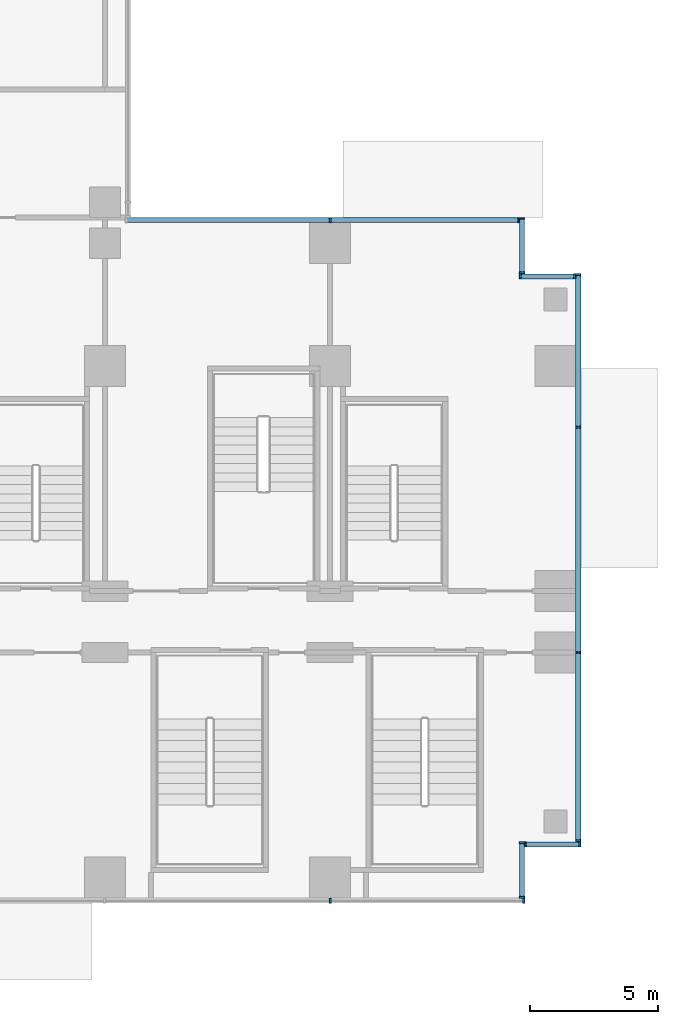
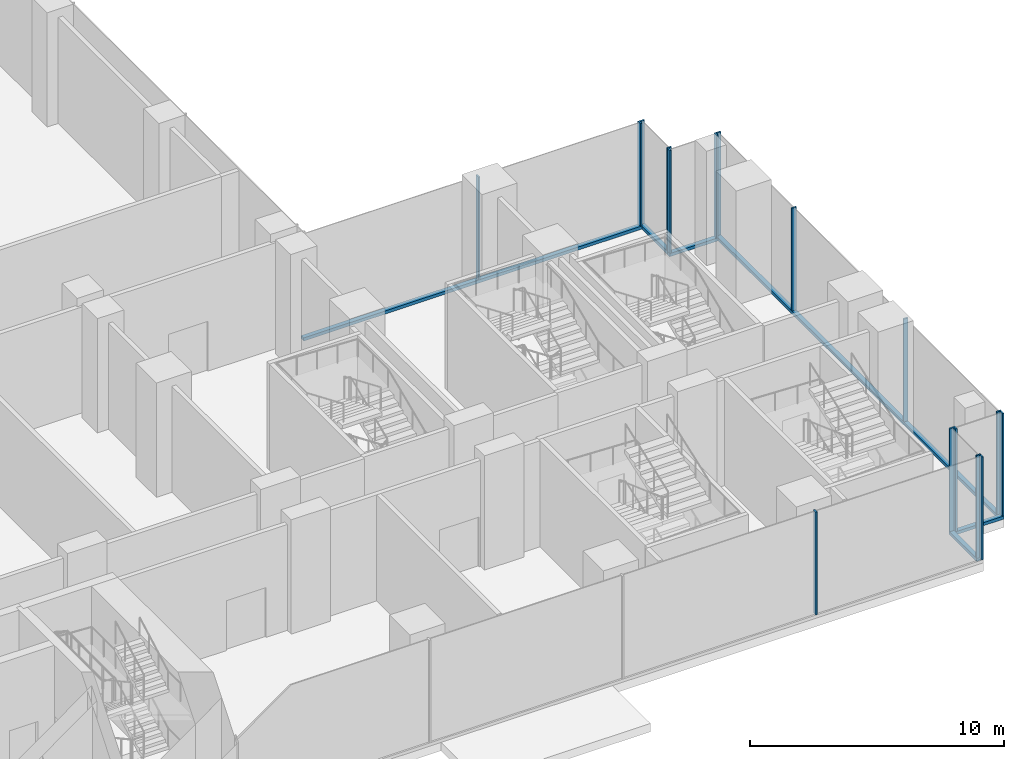
# One storey, part 10 of 30: 22 members, 7 elements without a shape of their own.
"""IFC4 building model written with IfcOpenShell, lengths in metres."""

from ifc_helpers import new_model, si_unit, direction, frame, origin, origin_2d, place, context, subcontext, project, spatial, rectangle, extrude, source, transform, mapped, material, material_profile, profile_set, type_object, element, aggregate, save


model = new_model("IFC4")

# Units and contexts
model_context = context("Model", 3, precision=1e-05, world=origin(), true_north=direction((0.0, 1.0)))
body_context = subcontext(model_context, "Body", "Model", "MODEL_VIEW")
ifc_project = project(units=[si_unit("LENGTHUNIT", "METRE"), si_unit("AREAUNIT", "SQUARE_METRE"), si_unit("VOLUMEUNIT", "CUBIC_METRE"), si_unit("PLANEANGLEUNIT", "RADIAN"), si_unit("MASSUNIT", "GRAM", prefix="KILO")], contexts=[model_context])

# Site, building, storey
site_placement = place(None, origin())
site = spatial("IfcSite", under=ifc_project, at=site_placement, CompositionType="ELEMENT")
building_placement = place(site_placement, origin())
building = spatial("IfcBuilding", under=site, at=building_placement, Name="Kemantara Hotel Tower", CompositionType="ELEMENT")
storey_placement = place(building_placement, frame((0.0, 0.0, 7.5)))
storey = spatial("IfcBuildingStorey", under=building, at=storey_placement, Name="L01", CompositionType="ELEMENT", Elevation=7.5)

# Curtain wall, member
ifc_material_1 = material(Name="Laminated tinted insulated glass 44 mm", Category="glass")
curtain_wall_type = type_object("IfcCurtainWallType", Name="PODIUM GLASS CURTAIN WALL", PredefinedType="USERDEFINED", material=ifc_material_1)
curtain_wall_1_placement = place(storey_placement, origin())
curtain_wall_1 = element("IfcCurtainWall", 1, at=curtain_wall_1_placement, inside=storey, type_object=curtain_wall_type, Name="CW1 L01 POD-R04-1", ObjectType="PODIUM GLASS CURTAIN WALL", PredefinedType="USERDEFINED")
ifc_material_2 = material(Name="Aluminium 6063-T6 bronze anodised", Category="aluminium")
ifc_material_profile_1 = material_profile(ifc_material_2, rectangle(XDim=0.199951171875, YDim=0.14990234375, at=origin_2d()), Name="PODIUM GLASS CURTAIN WALL TRANSOM")
ifc_profile_set_1 = profile_set([ifc_material_profile_1], Name="Aluminium 6063-T6 bronze anodised")
member_type_1 = type_object("IfcMemberType", Name="PODIUM GLASS CURTAIN WALL TRANSOM", PredefinedType="USERDEFINED", material=ifc_profile_set_1)
member_1_placement = place(storey_placement, frame((81.10009765625, 2.39990234375, 0.074951171875), z_axis=(0.0, 1.0, 0.0), x_axis=(-1.0, 0.0, 0.0)))
member_1 = element("IfcMember", 2, at=member_1_placement, type_object=member_type_1, Name="CW1 sill transom POD-R04-1", ObjectType="TRANSOM", PredefinedType="USERDEFINED", context=body_context, shape_type="SweptSolid", body=[
    extrude(rectangle(XDim=0.199951171875, YDim=0.14990234375, at=origin_2d()), origin(), (0.0, 0.0, 1.0), 22.2001953125),
])

curtain_wall_2_placement = place(storey_placement, origin())
curtain_wall_2 = element("IfcCurtainWall", 3, at=curtain_wall_2_placement, inside=storey, type_object=curtain_wall_type, Name="CW1 L01 POD-R07-1", ObjectType="PODIUM GLASS CURTAIN WALL", PredefinedType="USERDEFINED")
member_2_placement = place(storey_placement, frame((78.800048828125, 26.699951171875, 0.074951171875), z_axis=(-1.0, 0.0, 0.0), x_axis=(0.0, -1.0, 0.0)))
member_2 = element("IfcMember", 4, at=member_2_placement, type_object=member_type_1, Name="CW1 sill transom POD-R07-1", ObjectType="TRANSOM", PredefinedType="USERDEFINED", context=body_context, shape_type="SweptSolid", body=[
    extrude(rectangle(XDim=0.199951171875, YDim=0.14990234375, at=origin_2d()), origin(), (0.0, 0.0, 1.0), 15.400146484375),
])

curtain_wall_3_placement = place(storey_placement, origin())
curtain_wall_3 = element("IfcCurtainWall", 5, at=curtain_wall_3_placement, inside=storey, type_object=curtain_wall_type, Name="CW1 L01 POD-R02-1", ObjectType="PODIUM GLASS CURTAIN WALL", PredefinedType="USERDEFINED")
member_3_placement = place(storey_placement, frame((78.89990234375, 0.199951171875, 0.074951171875), z_axis=(0.0, 1.0, 0.0), x_axis=(-1.0, 0.0, 0.0)))
member_3 = element("IfcMember", 6, at=member_3_placement, type_object=member_type_1, Name="CW1 sill transom POD-R02-1", ObjectType="TRANSOM", PredefinedType="USERDEFINED", context=body_context, shape_type="SweptSolid", body=[
    extrude(rectangle(XDim=0.199951171875, YDim=0.14990234375, at=origin_2d()), origin(), (0.0, 0.0, 1.0), 2.199951171875),
])

curtain_wall_4_placement = place(storey_placement, origin())
curtain_wall_4 = element("IfcCurtainWall", 7, at=curtain_wall_4_placement, inside=storey, type_object=curtain_wall_type, Name="CW1 L01 POD-R03-1", ObjectType="PODIUM GLASS CURTAIN WALL", PredefinedType="USERDEFINED")
member_4_placement = place(storey_placement, frame((79.0, 2.300048828125, 0.074951171875), z_axis=(1.0, 0.0, 0.0), x_axis=(0.0, 1.0, 0.0)))
member_4 = element("IfcMember", 8, at=member_4_placement, type_object=member_type_1, Name="CW1 sill transom POD-R03-1", ObjectType="TRANSOM", PredefinedType="USERDEFINED", context=body_context, shape_type="SweptSolid", body=[
    extrude(rectangle(XDim=0.199951171875, YDim=0.14990234375, at=origin_2d()), origin(), (0.0, 0.0, 1.0), 2.199951171875),
])

curtain_wall_5_placement = place(storey_placement, origin())
curtain_wall_5 = element("IfcCurtainWall", 9, at=curtain_wall_5_placement, inside=storey, type_object=curtain_wall_type, Name="CW1 L01 POD-R05-1", ObjectType="PODIUM GLASS CURTAIN WALL", PredefinedType="USERDEFINED")
member_5_placement = place(storey_placement, frame((81.0, 24.5, 0.074951171875), z_axis=(-1.0, 0.0, 0.0), x_axis=(0.0, -1.0, 0.0)))
member_5 = element("IfcMember", 10, at=member_5_placement, type_object=member_type_1, Name="CW1 sill transom POD-R05-1", ObjectType="TRANSOM", PredefinedType="USERDEFINED", context=body_context, shape_type="SweptSolid", body=[
    extrude(rectangle(XDim=0.199951171875, YDim=0.14990234375, at=origin_2d()), origin(), (0.0, 0.0, 1.0), 2.199951171875),
])

curtain_wall_6_placement = place(storey_placement, origin())
curtain_wall_6 = element("IfcCurtainWall", 11, at=curtain_wall_6_placement, inside=storey, type_object=curtain_wall_type, Name="CW1 L01 POD-R06-1", ObjectType="PODIUM GLASS CURTAIN WALL", PredefinedType="USERDEFINED")
member_6_placement = place(storey_placement, frame((78.89990234375, 24.60009765625, 0.074951171875), z_axis=(0.0, 1.0, 0.0), x_axis=(-1.0, 0.0, 0.0)))
member_6 = element("IfcMember", 12, at=member_6_placement, type_object=member_type_1, Name="CW1 sill transom POD-R06-1", ObjectType="TRANSOM", PredefinedType="USERDEFINED", context=body_context, shape_type="SweptSolid", body=[
    extrude(rectangle(XDim=0.199951171875, YDim=0.14990234375, at=origin_2d()), origin(), (0.0, 0.0, 1.0), 2.199951171875),
])

# Curtain wall, members
curtain_wall_7_placement = place(storey_placement, origin())
curtain_wall_7 = element("IfcCurtainWall", 13, at=curtain_wall_7_placement, inside=storey, type_object=curtain_wall_type, Name="CW1 L01 POD-R01-2", ObjectType="PODIUM GLASS CURTAIN WALL", PredefinedType="USERDEFINED")
ifc_material_profile_2 = material_profile(ifc_material_2, rectangle(XDim=0.199951171875, YDim=0.074951171875, at=origin_2d()), Name="PODIUM GLASS CURTAIN WALL MULLION")
ifc_profile_set_2 = profile_set([ifc_material_profile_2], Name="Aluminium 6063-T6 bronze anodised")
member_type_2 = type_object("IfcMemberType", Name="PODIUM GLASS CURTAIN WALL MULLION", PredefinedType="MULLION", material=ifc_profile_set_2)
shared_shape = source(origin(), body_context, "Body", "SweptSolid", [
    extrude(rectangle(XDim=0.199951171875, YDim=0.074951171875, at=origin_2d()), origin(), (0.0, 0.0, 1.0), 4.9501953125),
])
member_7_placement = place(storey_placement, frame((71.39990234375, 0.10009765625, 0.14990234375), z_axis=(0.0, 0.0, 1.0), x_axis=(0.0, 1.0, 0.0)))
member_7 = element("IfcMember", 14, at=member_7_placement, type_object=member_type_2, Name="CW1 mullion POD-R01-2.4", PredefinedType="MULLION", context=body_context, shape_type="MappedRepresentation", body=[
    mapped(shared_shape, transform((0.0, 0.0, 0.0))),
])
member_8_placement = place(storey_placement, frame((78.96240234375, 0.10009765625, 0.14990234375), z_axis=(0.0, 0.0, 1.0), x_axis=(0.0, 1.0, 0.0)))
member_8 = element("IfcMember", 15, at=member_8_placement, type_object=member_type_2, Name="CW1 mullion POD-R01-2.5", PredefinedType="MULLION", context=body_context, shape_type="MappedRepresentation", body=[
    mapped(shared_shape, transform((0.0, 0.0, 0.0))),
])
aggregate(curtain_wall_7, [member_7, member_8])

# Member
member_9_placement = place(storey_placement, frame((81.10009765625, 2.4375, 0.14990234375), z_axis=(0.0, 0.0, 1.0), x_axis=(-1.0, 0.0, 0.0)))
member_9 = element("IfcMember", 16, at=member_9_placement, type_object=member_type_2, Name="CW1 mullion POD-R04-1.1", PredefinedType="MULLION", context=body_context, shape_type="MappedRepresentation", body=[
    mapped(shared_shape, transform((0.0, 0.0, 0.0))),
])

member_10_placement = place(storey_placement, frame((81.10009765625, 9.800048828125, 0.14990234375), z_axis=(0.0, 0.0, 1.0), x_axis=(-1.0, 0.0, 0.0)))
member_10 = element("IfcMember", 17, at=member_10_placement, type_object=member_type_2, Name="CW1 mullion POD-R04-1.2", PredefinedType="MULLION", context=body_context, shape_type="MappedRepresentation", body=[
    mapped(shared_shape, transform((0.0, 0.0, 0.0))),
])

member_11_placement = place(storey_placement, frame((81.10009765625, 18.60009765625, 0.14990234375), z_axis=(0.0, 0.0, 1.0), x_axis=(-1.0, 0.0, 0.0)))
member_11 = element("IfcMember", 18, at=member_11_placement, type_object=member_type_2, Name="CW1 mullion POD-R04-1.3", PredefinedType="MULLION", context=body_context, shape_type="MappedRepresentation", body=[
    mapped(shared_shape, transform((0.0, 0.0, 0.0))),
])

member_12_placement = place(storey_placement, frame((81.10009765625, 24.5625, 0.14990234375), z_axis=(0.0, 0.0, 1.0), x_axis=(-1.0, 0.0, 0.0)))
member_12 = element("IfcMember", 19, at=member_12_placement, type_object=member_type_2, Name="CW1 mullion POD-R04-1.4", PredefinedType="MULLION", context=body_context, shape_type="MappedRepresentation", body=[
    mapped(shared_shape, transform((0.0, 0.0, 0.0))),
])

aggregate(curtain_wall_1, [member_1, member_9, member_10, member_11, member_12])

member_13_placement = place(storey_placement, frame((78.762451171875, 26.699951171875, 0.14990234375), z_axis=(0.0, 0.0, 1.0), x_axis=(0.0, -1.0, 0.0)))
member_13 = element("IfcMember", 20, at=member_13_placement, type_object=member_type_2, Name="CW1 mullion POD-R07-1.1", PredefinedType="MULLION", context=body_context, shape_type="MappedRepresentation", body=[
    mapped(shared_shape, transform((0.0, 0.0, 0.0))),
])

member_14_placement = place(storey_placement, frame((71.39990234375, 26.699951171875, 0.14990234375), z_axis=(0.0, 0.0, 1.0), x_axis=(0.0, -1.0, 0.0)))
member_14 = element("IfcMember", 21, at=member_14_placement, type_object=member_type_2, Name="CW1 mullion POD-R07-1.2", PredefinedType="MULLION", context=body_context, shape_type="MappedRepresentation", body=[
    mapped(shared_shape, transform((0.0, 0.0, 0.0))),
])

aggregate(curtain_wall_2, [member_2, member_13, member_14])

member_15_placement = place(storey_placement, frame((78.89990234375, 0.237548828125, 0.14990234375), z_axis=(0.0, 0.0, 1.0), x_axis=(-1.0, 0.0, 0.0)))
member_15 = element("IfcMember", 22, at=member_15_placement, type_object=member_type_2, Name="CW1 mullion POD-R02-1.1", PredefinedType="MULLION", context=body_context, shape_type="MappedRepresentation", body=[
    mapped(shared_shape, transform((0.0, 0.0, 0.0))),
])

member_16_placement = place(storey_placement, frame((78.89990234375, 2.362548828125, 0.14990234375), z_axis=(0.0, 0.0, 1.0), x_axis=(-1.0, 0.0, 0.0)))
member_16 = element("IfcMember", 23, at=member_16_placement, type_object=member_type_2, Name="CW1 mullion POD-R02-1.2", PredefinedType="MULLION", context=body_context, shape_type="MappedRepresentation", body=[
    mapped(shared_shape, transform((0.0, 0.0, 0.0))),
])

aggregate(curtain_wall_3, [member_3, member_15, member_16])

member_17_placement = place(storey_placement, frame((79.03759765625, 2.300048828125, 0.14990234375), z_axis=(0.0, 0.0, 1.0), x_axis=(0.0, 1.0, 0.0)))
member_17 = element("IfcMember", 24, at=member_17_placement, type_object=member_type_2, Name="CW1 mullion POD-R03-1.1", PredefinedType="MULLION", context=body_context, shape_type="MappedRepresentation", body=[
    mapped(shared_shape, transform((0.0, 0.0, 0.0))),
])

member_18_placement = place(storey_placement, frame((81.16259765625, 2.300048828125, 0.14990234375), z_axis=(0.0, 0.0, 1.0), x_axis=(0.0, 1.0, 0.0)))
member_18 = element("IfcMember", 25, at=member_18_placement, type_object=member_type_2, Name="CW1 mullion POD-R03-1.2", PredefinedType="MULLION", context=body_context, shape_type="MappedRepresentation", body=[
    mapped(shared_shape, transform((0.0, 0.0, 0.0))),
])

aggregate(curtain_wall_4, [member_4, member_17, member_18])

member_19_placement = place(storey_placement, frame((80.96240234375, 24.5, 0.14990234375), z_axis=(0.0, 0.0, 1.0), x_axis=(0.0, -1.0, 0.0)))
member_19 = element("IfcMember", 26, at=member_19_placement, type_object=member_type_2, Name="CW1 mullion POD-R05-1.1", PredefinedType="MULLION", context=body_context, shape_type="MappedRepresentation", body=[
    mapped(shared_shape, transform((0.0, 0.0, 0.0))),
])

member_20_placement = place(storey_placement, frame((78.83740234375, 24.5, 0.14990234375), z_axis=(0.0, 0.0, 1.0), x_axis=(0.0, -1.0, 0.0)))
member_20 = element("IfcMember", 27, at=member_20_placement, type_object=member_type_2, Name="CW1 mullion POD-R05-1.2", PredefinedType="MULLION", context=body_context, shape_type="MappedRepresentation", body=[
    mapped(shared_shape, transform((0.0, 0.0, 0.0))),
])

aggregate(curtain_wall_5, [member_5, member_19, member_20])

member_21_placement = place(storey_placement, frame((78.89990234375, 24.637451171875, 0.14990234375), z_axis=(0.0, 0.0, 1.0), x_axis=(-1.0, 0.0, 0.0)))
member_21 = element("IfcMember", 28, at=member_21_placement, type_object=member_type_2, Name="CW1 mullion POD-R06-1.1", PredefinedType="MULLION", context=body_context, shape_type="MappedRepresentation", body=[
    mapped(shared_shape, transform((0.0, 0.0, 0.0))),
])

member_22_placement = place(storey_placement, frame((78.89990234375, 26.762451171875, 0.14990234375), z_axis=(0.0, 0.0, 1.0), x_axis=(-1.0, 0.0, 0.0)))
member_22 = element("IfcMember", 29, at=member_22_placement, type_object=member_type_2, Name="CW1 mullion POD-R06-1.2", PredefinedType="MULLION", context=body_context, shape_type="MappedRepresentation", body=[
    mapped(shared_shape, transform((0.0, 0.0, 0.0))),
])

aggregate(curtain_wall_6, [member_6, member_21, member_22])

save(model, "model.ifc")
